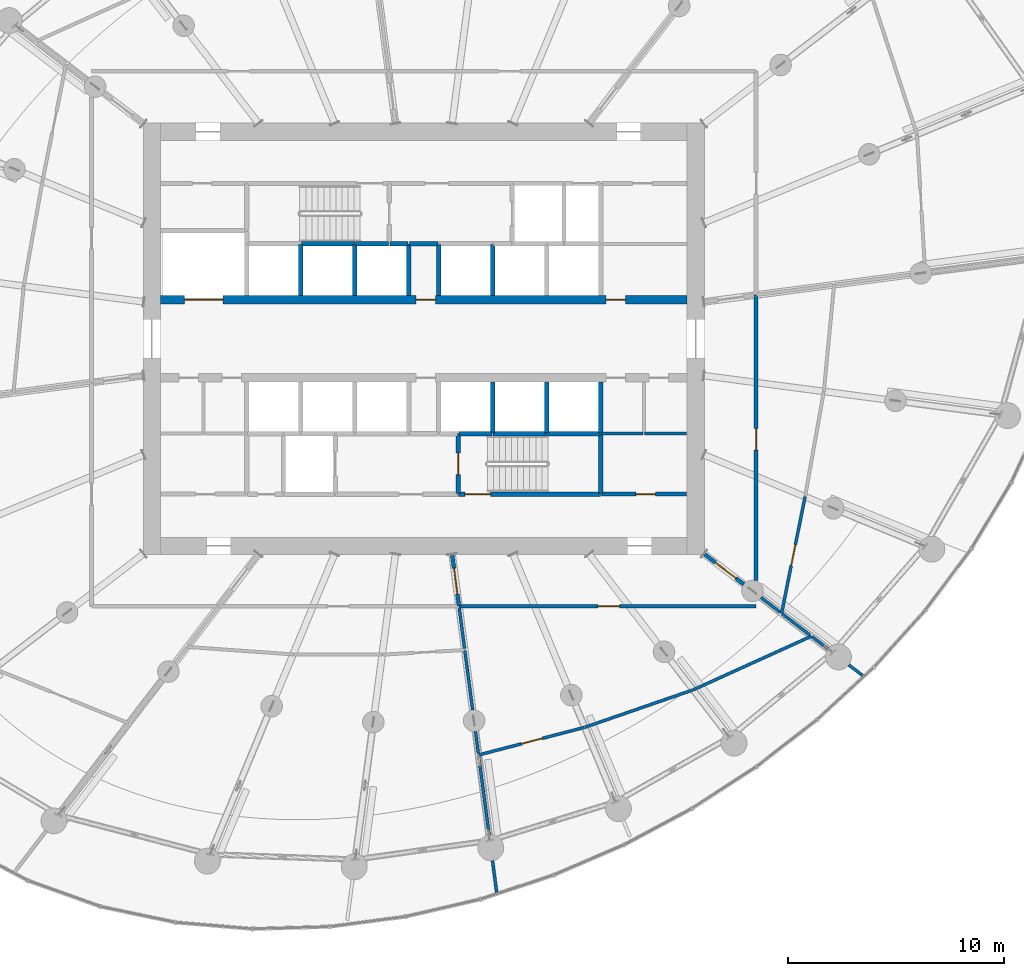
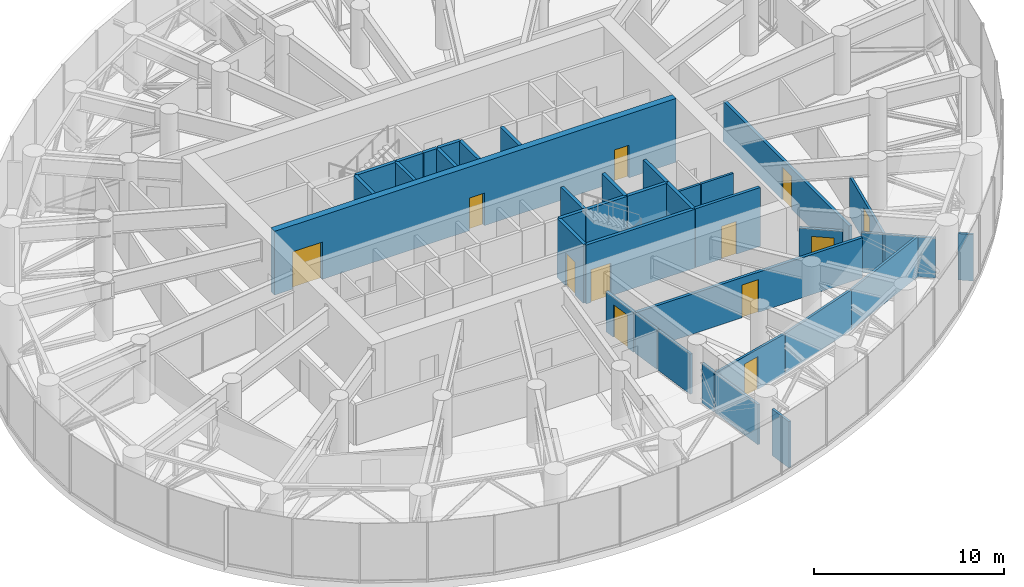
# One storey, part 17 of 33: 39 walls, 12 doors, 12 openings.
"""IFC4 building model written with IfcOpenShell, lengths in metres."""

from ifc_helpers import new_model, si_unit, direction, frame, frame_2d, origin, place, context, subcontext, project, spatial, rectangle, extrude, source, transform, mapped, material, layer, layer_set, type_object, element, fill, save


model = new_model("IFC4")

# Units and contexts
model_context = context("Model", 3, precision=1e-05, world=origin(), true_north=direction((0.0, 1.0)))
body_context = subcontext(model_context, "Body", "Model", "MODEL_VIEW")
ifc_project = project(units=[si_unit("LENGTHUNIT", "METRE"), si_unit("AREAUNIT", "SQUARE_METRE"), si_unit("VOLUMEUNIT", "CUBIC_METRE"), si_unit("PLANEANGLEUNIT", "RADIAN"), si_unit("MASSUNIT", "GRAM", prefix="KILO")], contexts=[model_context])

# Site, building, storey
site_placement = place(None, origin())
site = spatial("IfcSite", under=ifc_project, at=site_placement, CompositionType="ELEMENT")
building_placement = place(site_placement, origin())
building = spatial("IfcBuilding", under=site, at=building_placement, Name="Spindrift Exchange Tower", CompositionType="ELEMENT")
storey_placement = place(building_placement, frame((0.0, 0.0, 129.0)))
storey = spatial("IfcBuildingStorey", under=building, at=storey_placement, Name="L30", CompositionType="ELEMENT", Elevation=129.0)

# Wall, openings, doors
ifc_material_1 = material(Name="Concrete 65 MPa", Category="concrete")
ifc_layer_1 = layer(ifc_material_1, 0.39990234375)
ifc_layer_set_1 = layer_set([ifc_layer_1], Name="RC Spine Wall 400 Concrete 65 MPa")
wall_type_1 = type_object("IfcWallType", Name="RC Spine Wall 400 Concrete 65 MPa", PredefinedType="SHEAR", material=ifc_layer_set_1)
wall_1_placement = place(storey_placement, frame((39.800048828125, 49.800048828125, 0.0), z_axis=(0.0, 0.0, 1.0), x_axis=(1.0, 0.0, 0.0)))
wall_1 = element("IfcWall", 1, at=wall_1_placement, inside=storey, type_object=wall_type_1, Name="Core spine wall N L30", PredefinedType="SHEAR", context=body_context, shape_type="SweptSolid", body=[
    extrude(rectangle(XDim=24.39990234375, YDim=0.39990234375, at=frame_2d((12.199951171875, 0.0))), origin(), (0.0, 0.0, 1.0), 4.10009765625),
])
opening_1_placement = place(wall_1_placement, frame((1.10009765625, 0.0, 0.0)))
opening_1 = element("IfcOpeningElement", 2, at=opening_1_placement, cuts=wall_1, Name="Opening L30-D6", PredefinedType="OPENING", context=body_context, shape_type="SweptSolid", body=[
    extrude(rectangle(XDim=1.800048828125, YDim=2.39990234375, at=frame_2d((0.89990234375, 1.199951171875))), frame((0.0, 0.2099609375, 0.0), z_axis=(0.0, -1.0, 0.0), x_axis=(1.0, 0.0, 0.0)), (0.0, 0.0, 1.0), 0.419921875),
])
opening_2_placement = place(wall_1_placement, frame((20.64990234375, 0.0, 0.0)))
opening_2 = element("IfcOpeningElement", 3, at=opening_2_placement, cuts=wall_1, Name="Opening L30-D45", PredefinedType="OPENING", context=body_context, shape_type="SweptSolid", body=[
    extrude(rectangle(XDim=0.89990234375, YDim=2.10009765625, at=frame_2d((0.449951171875, 1.050048828125))), frame((0.0, 0.2099609375, 0.0), z_axis=(0.0, -1.0, 0.0), x_axis=(1.0, 0.0, 0.0)), (0.0, 0.0, 1.0), 0.419921875),
])
opening_3_placement = place(wall_1_placement, frame((11.85009765625, 0.0, 0.0)))
opening_3 = element("IfcOpeningElement", 4, at=opening_3_placement, cuts=wall_1, Name="Opening L30-D50", PredefinedType="OPENING", context=body_context, shape_type="SweptSolid", body=[
    extrude(rectangle(XDim=0.89990234375, YDim=2.10009765625, at=frame_2d((0.449951171875, 1.050048828125))), frame((0.0, 0.2099609375, 0.0), z_axis=(0.0, -1.0, 0.0), x_axis=(1.0, 0.0, 0.0)), (0.0, 0.0, 1.0), 0.419921875),
])
ifc_material_2 = material(Name="Stainless steel landing door", Category="steel")
door_type_1 = type_object("IfcDoorType", Name="DR-LANDING-1800-SL", OperationType="DOUBLE_DOOR_SLIDING", PredefinedType="USERDEFINED", material=ifc_material_2)
shared_shape_1 = source(origin(), body_context, "Body", "SweptSolid", [
    extrude(rectangle(XDim=1.800048828125, YDim=2.39990234375, at=frame_2d((0.89990234375, 1.199951171875))), frame((0.0, 0.02490234375, 0.0), z_axis=(0.0, -1.0, 0.0), x_axis=(1.0, 0.0, 0.0)), (0.0, 0.0, 1.0), 0.050048828125),
])
door_1_placement = place(opening_1_placement, origin())
door_1 = element("IfcDoor", 5, at=door_1_placement, inside=storey, type_object=door_type_1, Name="L30 Lift landing door 6", ObjectType="LANDING DOOR", OperationType="DOUBLE_DOOR_SLIDING", OverallHeight=2.39990234375, OverallWidth=1.800048828125, PredefinedType="USERDEFINED", context=body_context, shape_type="MappedRepresentation", body=[
    mapped(shared_shape_1, transform((0.0, 0.0, 0.0), scale=1.0)),
])
fill(opening_1, door_1)
ifc_material_3 = material(Name="Steel access door", Category="steel")
door_type_2 = type_object("IfcDoorType", Name="DR-RISER-900", OperationType="NOTDEFINED", PredefinedType="DOOR", material=ifc_material_3)
shared_shape_2 = source(origin(), body_context, "Body", "SweptSolid", [
    extrude(rectangle(XDim=0.89990234375, YDim=2.10009765625, at=frame_2d((0.449951171875, 1.050048828125))), frame((0.0, 0.02490234375, 0.0), z_axis=(0.0, -1.0, 0.0), x_axis=(1.0, 0.0, 0.0)), (0.0, 0.0, 1.0), 0.050048828125),
])
door_2_placement = place(opening_2_placement, origin())
door_2 = element("IfcDoor", 6, at=door_2_placement, inside=storey, type_object=door_type_2, Name="L30 Riser door 45", OperationType="SINGLE_SWING_RIGHT", OverallHeight=2.10009765625, OverallWidth=0.89990234375, PredefinedType="DOOR", context=body_context, shape_type="MappedRepresentation", body=[
    mapped(shared_shape_2, transform((0.0, 0.0, 0.0), scale=1.0)),
])
fill(opening_2, door_2)
door_3_placement = place(opening_3_placement, origin())
door_3 = element("IfcDoor", 7, at=door_3_placement, inside=storey, type_object=door_type_2, Name="L30 Riser door 50", OperationType="SINGLE_SWING_LEFT", OverallHeight=2.10009765625, OverallWidth=0.89990234375, PredefinedType="DOOR", context=body_context, shape_type="MappedRepresentation", body=[
    mapped(shared_shape_2, transform((0.0, 0.0, 0.0), scale=1.0)),
])
fill(opening_3, door_3)

# Wall, opening, door
ifc_material_4 = material(Name="Fire-rated plasterboard partition", Category="gypsum")
ifc_layer_2 = layer(ifc_material_4, 0.179931640625)
ifc_layer_set_2 = layer_set([ifc_layer_2], Name="W-CORR-180")
wall_type_2 = type_object("IfcWallType", Name="W-CORR-180", PredefinedType="PARTITIONING", material=ifc_layer_set_2)
wall_2_placement = place(storey_placement, frame((60.22998046875, 40.800048828125, 0.0), z_axis=(0.0, 0.0, 1.0), x_axis=(1.0, 0.0, 0.0)))
wall_2 = element("IfcWall", 8, at=wall_2_placement, inside=storey, type_object=wall_type_2, Name="L30 Partition wall 67", PredefinedType="PARTITIONING", context=body_context, shape_type="SweptSolid", body=[
    extrude(rectangle(XDim=3.949951171875, YDim=0.179931640625, at=frame_2d((1.97509765625, 0.0))), origin(), (0.0, 0.0, 1.0), 3.780029296875),
])
opening_4_placement = place(wall_2_placement, frame((1.60009765625, 0.0, 0.0)))
opening_4 = element("IfcOpeningElement", 9, at=opening_4_placement, cuts=wall_2, Name="Opening L30-D47", PredefinedType="OPENING", context=body_context, shape_type="SweptSolid", body=[
    extrude(rectangle(XDim=0.89990234375, YDim=2.10009765625, at=frame_2d((0.449951171875, 1.050048828125))), frame((0.0, 0.099853515625, 0.0), z_axis=(0.0, -1.0, 0.0), x_axis=(1.0, 0.0, 0.0)), (0.0, 0.0, 1.0), 0.199951171875),
])
door_4_placement = place(opening_4_placement, origin())
door_4 = element("IfcDoor", 10, at=door_4_placement, inside=storey, type_object=door_type_2, Name="L30 Riser door 47", OperationType="SINGLE_SWING_RIGHT", OverallHeight=2.10009765625, OverallWidth=0.89990234375, PredefinedType="DOOR", context=body_context, shape_type="MappedRepresentation", body=[
    mapped(shared_shape_2, transform((0.0, 0.0, 0.0), scale=1.0)),
])
fill(opening_4, door_4)

ifc_layer_3 = layer(ifc_material_4, 0.179931640625)
ifc_layer_set_3 = layer_set([ifc_layer_3], Name="W-CORR-180-SOFFIT")
wall_type_3 = type_object("IfcWallType", Name="W-CORR-180-SOFFIT", PredefinedType="PARTITIONING", material=ifc_layer_set_3)
wall_3_placement = place(storey_placement, frame((53.628662109375, 35.629638671875, 0.0), z_axis=(0.0, 0.0, 1.0), x_axis=(-0.13060507681, 0.991434472828, 0.0)))
wall_3 = element("IfcWall", 11, at=wall_3_placement, inside=storey, type_object=wall_type_3, Name="L30 Partition wall 76", PredefinedType="PARTITIONING", context=body_context, shape_type="SweptSolid", body=[
    extrude(rectangle(XDim=2.390869140625, YDim=0.179931640625, at=frame_2d((1.1953125, 0.0))), origin(), (0.0, 0.0, 1.0), 2.580078125),
])
opening_5_placement = place(wall_3_placement, frame((0.540771484375, 0.0, 0.0)))
opening_5 = element("IfcOpeningElement", 12, at=opening_5_placement, cuts=wall_3, Name="Opening L30-D38", PredefinedType="OPENING", context=body_context, shape_type="SweptSolid", body=[
    extrude(rectangle(XDim=1.199951171875, YDim=2.10009765625, at=frame_2d((0.60009765625, 1.050048828125))), frame((0.0, 0.099853515625, 0.0), z_axis=(0.0, -1.0, 0.0), x_axis=(1.0, 0.0, 0.0)), (0.0, 0.0, 1.0), 0.199951171875),
])
ifc_material_5 = material(Name="Steel fire door", Category="steel")
door_type_3 = type_object("IfcDoorType", Name="DR-PLANT-1200", OperationType="NOTDEFINED", PredefinedType="DOOR", material=ifc_material_5)
shared_shape_3 = source(origin(), body_context, "Body", "SweptSolid", [
    extrude(rectangle(XDim=1.199951171875, YDim=2.10009765625, at=frame_2d((0.60009765625, 1.050048828125))), frame((0.0, 0.02490234375, 0.0), z_axis=(0.0, -1.0, 0.0), x_axis=(1.0, 0.0, 0.0)), (0.0, 0.0, 1.0), 0.050048828125),
])
door_5_placement = place(opening_5_placement, origin())
door_5 = element("IfcDoor", 13, at=door_5_placement, inside=storey, type_object=door_type_3, Name="L30 Plant room door 38", OperationType="SINGLE_SWING_LEFT", OverallHeight=2.10009765625, OverallWidth=1.199951171875, PredefinedType="DOOR", context=body_context, shape_type="MappedRepresentation", body=[
    mapped(shared_shape_3, transform((0.0, 0.0, 0.0), scale=1.0)),
])
fill(opening_5, door_5)

wall_4_placement = place(storey_placement, frame((66.832275390625, 36.618896484375, 0.0), z_axis=(0.0, 0.0, 1.0), x_axis=(-0.793393624489, 0.608708926023, 0.0)))
wall_4 = element("IfcWall", 14, at=wall_4_placement, inside=storey, type_object=wall_type_3, Name="L30 Partition wall 78", PredefinedType="PARTITIONING", context=body_context, shape_type="SweptSolid", body=[
    extrude(rectangle(XDim=2.309326171875, YDim=0.179931640625, at=frame_2d((1.15478515625, 0.0))), origin(), (0.0, 0.0, 1.0), 2.580078125),
])
opening_6_placement = place(wall_4_placement, frame((0.45947265625, 0.0, 0.0)))
opening_6 = element("IfcOpeningElement", 15, at=opening_6_placement, cuts=wall_4, Name="Opening L30-D39", PredefinedType="OPENING", context=body_context, shape_type="SweptSolid", body=[
    extrude(rectangle(XDim=1.199951171875, YDim=2.10009765625, at=frame_2d((0.60009765625, 1.050048828125))), frame((0.0, 0.099853515625, 0.0), z_axis=(0.0, -1.0, 0.0), x_axis=(1.0, 0.0, 0.0)), (0.0, 0.0, 1.0), 0.199951171875),
])
door_6_placement = place(opening_6_placement, origin())
door_6 = element("IfcDoor", 16, at=door_6_placement, inside=storey, type_object=door_type_3, Name="L30 Plant room door 39", OperationType="SINGLE_SWING_RIGHT", OverallHeight=2.10009765625, OverallWidth=1.199951171875, PredefinedType="DOOR", context=body_context, shape_type="MappedRepresentation", body=[
    mapped(shared_shape_3, transform((0.0, 0.0, 0.0), scale=1.0)),
])
fill(opening_6, door_6)

# Walls
ifc_layer_4 = layer(ifc_material_4, 0.139892578125)
ifc_layer_set_4 = layer_set([ifc_layer_4], Name="W-PART-140")
wall_type_4 = type_object("IfcWallType", Name="W-PART-140", PredefinedType="PARTITIONING", material=ifc_layer_set_4)
wall_5_placement = place(storey_placement, frame((60.22998046875, 43.60009765625, 0.0), z_axis=(0.0, 0.0, 1.0), x_axis=(1.0, 0.0, 0.0)))
element("IfcWall", 17, at=wall_5_placement, inside=storey, type_object=wall_type_4, Name="L30 Partition wall 123", PredefinedType="PARTITIONING", context=body_context, shape_type="SweptSolid", body=[
    extrude(rectangle(XDim=1.93994140625, YDim=0.139892578125, at=frame_2d((0.969970703125, 0.0))), origin(), (0.0, 0.0, 1.0), 2.97998046875),
])
wall_6_placement = place(storey_placement, frame((62.22998046875, 43.60009765625, 0.0), z_axis=(0.0, 0.0, 1.0), x_axis=(1.0, 0.0, 0.0)))
element("IfcWall", 18, at=wall_6_placement, inside=storey, type_object=wall_type_4, Name="L30 Partition wall 124", PredefinedType="PARTITIONING", context=body_context, shape_type="SweptSolid", body=[
    extrude(rectangle(XDim=1.949951171875, YDim=0.139892578125, at=frame_2d((0.97509765625, 0.0))), origin(), (0.0, 0.0, 1.0), 2.97998046875),
])
ifc_layer_5 = layer(ifc_material_4, 0.139892578125)
ifc_layer_set_5 = layer_set([ifc_layer_5], Name="W-PLANT-140")
wall_type_5 = type_object("IfcWallType", Name="W-PLANT-140", PredefinedType="PARTITIONING", material=ifc_layer_set_5)
wall_7_placement = place(storey_placement, frame((55.185302734375, 23.805419921875, 0.0), z_axis=(0.0, 0.0, 1.0), x_axis=(0.13042446584, -0.991458248597, 0.0)))
element("IfcWall", 19, at=wall_7_placement, inside=storey, type_object=wall_type_5, Name="L30 Partition wall 129", PredefinedType="PARTITIONING", context=body_context, shape_type="SweptSolid", body=[
    extrude(rectangle(XDim=1.47119140625, YDim=0.139892578125, at=frame_2d((0.735595703125, 0.0))), origin(), (0.0, 0.0, 1.0), 2.97998046875),
])
wall_8_placement = place(storey_placement, frame((71.69921875, 32.88427734375, 0.0), z_axis=(0.0, 0.0, 1.0), x_axis=(0.793326455239, -0.608796464689, 0.0)))
element("IfcWall", 20, at=wall_8_placement, inside=storey, type_object=wall_type_5, Name="L30 Partition wall 140", PredefinedType="PARTITIONING", context=body_context, shape_type="SweptSolid", body=[
    extrude(rectangle(XDim=0.800537109375, YDim=0.139892578125, at=frame_2d((0.400390625, 0.0))), origin(), (0.0, 0.0, 1.0), 2.97998046875),
])
ifc_layer_6 = layer(ifc_material_4, 0.139892578125)
ifc_layer_set_6 = layer_set([ifc_layer_6], Name="W-PLANT-140-SOFFIT")
wall_type_6 = type_object("IfcWallType", Name="W-PLANT-140-SOFFIT", PredefinedType="PARTITIONING", material=ifc_layer_set_6)
wall_9_placement = place(storey_placement, frame((64.486083984375, 31.727783203125, 0.0), z_axis=(0.0, 0.0, 1.0), x_axis=(0.910630285698, 0.413222074397, 0.0)))
element("IfcWall", 21, at=wall_9_placement, inside=storey, type_object=wall_type_6, Name="L30 Partition wall 84", PredefinedType="PARTITIONING", context=body_context, shape_type="SweptSolid", body=[
    extrude(rectangle(XDim=6.017578125, YDim=0.139892578125, at=frame_2d((3.0087890625, 0.0))), origin(), (0.0, 0.0, 1.0), 2.580078125),
])

# Wall, opening, door
wall_10_placement = place(storey_placement, frame((69.671875, 40.68017578125, 0.0), z_axis=(0.0, 0.0, 1.0), x_axis=(-0.197248441668, -0.980353534323, 0.0)))
wall_10 = element("IfcWall", 22, at=wall_10_placement, inside=storey, type_object=wall_type_6, Name="L30 Partition wall 87", PredefinedType="PARTITIONING", context=body_context, shape_type="SweptSolid", body=[
    extrude(rectangle(XDim=5.51416015625, YDim=0.139892578125, at=frame_2d((2.757080078125, 0.0))), origin(), (0.0, 0.0, 1.0), 2.580078125),
])
opening_7_placement = place(wall_10_placement, frame((2.263916015625, 0.0, 0.0)))
opening_7 = element("IfcOpeningElement", 23, at=opening_7_placement, cuts=wall_10, Name="Opening L30-D32", PredefinedType="OPENING", context=body_context, shape_type="SweptSolid", body=[
    extrude(rectangle(XDim=1.0, YDim=2.10009765625, at=frame_2d((0.5, 1.050048828125))), frame((0.0, 0.079833984375, 0.0), z_axis=(0.0, -1.0, 0.0), x_axis=(1.0, 0.0, 0.0)), (0.0, 0.0, 1.0), 0.159912109375),
])
ifc_material_6 = material(Name="Timber-core fire door", Category="wood")
door_type_4 = type_object("IfcDoorType", Name="DR-ROOM-1000", OperationType="NOTDEFINED", PredefinedType="DOOR", material=ifc_material_6)
shared_shape_4 = source(origin(), body_context, "Body", "SweptSolid", [
    extrude(rectangle(XDim=1.0, YDim=2.10009765625, at=frame_2d((0.5, 1.050048828125))), frame((0.0, 0.02490234375, 0.0), z_axis=(0.0, -1.0, 0.0), x_axis=(1.0, 0.0, 0.0)), (0.0, 0.0, 1.0), 0.050048828125),
])
door_7_placement = place(opening_7_placement, origin())
door_7 = element("IfcDoor", 24, at=door_7_placement, inside=storey, type_object=door_type_4, Name="L30 Door 32", OperationType="SINGLE_SWING_LEFT", OverallHeight=2.10009765625, OverallWidth=1.0, PredefinedType="DOOR", context=body_context, shape_type="MappedRepresentation", body=[
    mapped(shared_shape_4, transform((0.0, 0.0, 0.0), scale=1.0)),
])
fill(opening_7, door_7)

# Wall
wall_11_placement = place(storey_placement, frame((59.4599609375, 29.990234375, 0.0), z_axis=(0.0, 0.0, 1.0), x_axis=(0.945116087861, 0.326734724918, 0.0)))
element("IfcWall", 25, at=wall_11_placement, inside=storey, type_object=wall_type_6, Name="L30 Partition wall 90", PredefinedType="PARTITIONING", context=body_context, shape_type="SweptSolid", body=[
    extrude(rectangle(XDim=5.2880859375, YDim=0.139892578125, at=frame_2d((2.64404296875, 0.0))), origin(), (0.0, 0.0, 1.0), 2.580078125),
])

# Wall, opening, door
wall_12_placement = place(storey_placement, frame((59.430908203125, 29.982666015625, 0.0), z_axis=(0.0, 0.0, 1.0), x_axis=(-0.967691095233, -0.252138739998, 0.0)))
wall_12 = element("IfcWall", 26, at=wall_12_placement, inside=storey, type_object=wall_type_6, Name="L30 Partition wall 92", PredefinedType="PARTITIONING", context=body_context, shape_type="SweptSolid", body=[
    extrude(rectangle(XDim=5.054443359375, YDim=0.139892578125, at=frame_2d((2.52734375, 0.0))), origin(), (0.0, 0.0, 1.0), 2.580078125),
])
opening_8_placement = place(wall_12_placement, frame((2.00439453125, 0.0, 0.0)))
opening_8 = element("IfcOpeningElement", 27, at=opening_8_placement, cuts=wall_12, Name="Opening L30-D30", PredefinedType="OPENING", context=body_context, shape_type="SweptSolid", body=[
    extrude(rectangle(XDim=1.0, YDim=2.10009765625, at=frame_2d((0.5, 1.050048828125))), frame((0.0, 0.079833984375, 0.0), z_axis=(0.0, -1.0, 0.0), x_axis=(1.0, 0.0, 0.0)), (0.0, 0.0, 1.0), 0.159912109375),
])
door_8_placement = place(opening_8_placement, origin())
door_8 = element("IfcDoor", 28, at=door_8_placement, inside=storey, type_object=door_type_4, Name="L30 Door 30", OperationType="SINGLE_SWING_LEFT", OverallHeight=2.10009765625, OverallWidth=1.0, PredefinedType="DOOR", context=body_context, shape_type="MappedRepresentation", body=[
    mapped(shared_shape_4, transform((0.0, 0.0, 0.0), scale=1.0)),
])
fill(opening_8, door_8)

# Walls
wall_13_placement = place(storey_placement, frame((54.543701171875, 28.678466796875, 0.0), z_axis=(0.0, 0.0, 1.0), x_axis=(0.130558454313, -0.991440613455, 0.0)))
element("IfcWall", 29, at=wall_13_placement, inside=storey, type_object=wall_type_6, Name="L30 Partition wall 107", PredefinedType="PARTITIONING", context=body_context, shape_type="SweptSolid", body=[
    extrude(rectangle(XDim=3.706298828125, YDim=0.139892578125, at=frame_2d((1.85302734375, 0.0))), origin(), (0.0, 0.0, 1.0), 2.580078125),
])
wall_14_placement = place(storey_placement, frame((53.903076171875, 33.544921875, 0.0), z_axis=(0.0, 0.0, 1.0), x_axis=(0.130536537493, -0.991443499338, 0.0)))
element("IfcWall", 30, at=wall_14_placement, inside=storey, type_object=wall_type_6, Name="L30 Partition wall 114", PredefinedType="PARTITIONING", context=body_context, shape_type="SweptSolid", body=[
    extrude(rectangle(XDim=2.771728515625, YDim=0.139892578125, at=frame_2d((1.3857421875, 0.0))), origin(), (0.0, 0.0, 1.0), 2.580078125),
])
wall_15_placement = place(storey_placement, frame((53.644287109375, 35.510009765625, 0.0), z_axis=(0.0, 0.0, 1.0), x_axis=(0.130498135038, -0.991448554768, 0.0)))
element("IfcWall", 31, at=wall_15_placement, inside=storey, type_object=wall_type_6, Name="L30 Partition wall 121", PredefinedType="PARTITIONING", context=body_context, shape_type="SweptSolid", body=[
    extrude(rectangle(XDim=1.882080078125, YDim=0.139892578125, at=frame_2d((0.94091796875, 0.0))), origin(), (0.0, 0.0, 1.0), 2.580078125),
])
wall_16_placement = place(storey_placement, frame((68.60791015625, 35.256103515625, 0.0), z_axis=(0.0, 0.0, 1.0), x_axis=(0.793418526324, -0.608676467498, 0.0)))
element("IfcWall", 32, at=wall_16_placement, inside=storey, type_object=wall_type_6, Name="L30 Partition wall 127", PredefinedType="PARTITIONING", context=body_context, shape_type="SweptSolid", body=[
    extrude(rectangle(XDim=1.632080078125, YDim=0.139892578125, at=frame_2d((0.81591796875, 0.0))), origin(), (0.0, 0.0, 1.0), 2.580078125),
])
wall_17_placement = place(storey_placement, frame((67.632568359375, 36.004638671875, 0.0), z_axis=(0.0, 0.0, 1.0), x_axis=(0.793448671778, -0.60863717045, 0.0)))
element("IfcWall", 33, at=wall_17_placement, inside=storey, type_object=wall_type_6, Name="L30 Partition wall 131", PredefinedType="PARTITIONING", context=body_context, shape_type="SweptSolid", body=[
    extrude(rectangle(XDim=1.12158203125, YDim=0.139892578125, at=frame_2d((0.560791015625, 0.0))), origin(), (0.0, 0.0, 1.0), 2.580078125),
])
wall_18_placement = place(storey_placement, frame((54.396484375, 29.796630859375, 0.0), z_axis=(0.0, 0.0, 1.0), x_axis=(0.130497554193, -0.991448631221, 0.0)))
element("IfcWall", 34, at=wall_18_placement, inside=storey, type_object=wall_type_6, Name="L30 Partition wall 133", PredefinedType="PARTITIONING", context=body_context, shape_type="SweptSolid", body=[
    extrude(rectangle(XDim=1.027099609375, YDim=0.139892578125, at=frame_2d((0.513671875, 0.0))), origin(), (0.0, 0.0, 1.0), 2.580078125),
])
wall_19_placement = place(storey_placement, frame((69.989501953125, 34.196044921875, 0.0), z_axis=(0.0, 0.0, 1.0), x_axis=(0.793419442559, -0.60867527317, 0.0)))
element("IfcWall", 35, at=wall_19_placement, inside=storey, type_object=wall_type_6, Name="L30 Partition wall 134", PredefinedType="PARTITIONING", context=body_context, shape_type="SweptSolid", body=[
    extrude(rectangle(XDim=0.9462890625, YDim=0.139892578125, at=frame_2d((0.47314453125, 0.0))), origin(), (0.0, 0.0, 1.0), 2.580078125),
])

# Wall, opening, door
ifc_layer_7 = layer(ifc_material_4, 0.179931640625)
ifc_layer_set_7 = layer_set([ifc_layer_7], Name="W-PLANT-180-SOFFIT")
wall_type_7 = type_object("IfcWallType", Name="W-PLANT-180-SOFFIT", PredefinedType="PARTITIONING", material=ifc_layer_set_7)
wall_20_placement = place(storey_placement, frame((67.39990234375, 35.60009765625, 0.0), z_axis=(0.0, 0.0, 1.0), x_axis=(-1.0, 0.0, 0.0)))
wall_20 = element("IfcWall", 36, at=wall_20_placement, inside=storey, type_object=wall_type_7, Name="L30 Partition wall 57", PredefinedType="PARTITIONING", context=body_context, shape_type="SweptSolid", body=[
    extrude(rectangle(XDim=13.767333984375, YDim=0.179931640625, at=frame_2d((6.8837890625, 0.0))), origin(), (0.0, 0.0, 1.0), 2.580078125),
])
opening_9_placement = place(wall_20_placement, frame((6.3173828125, 0.0, 0.0)))
opening_9 = element("IfcOpeningElement", 37, at=opening_9_placement, cuts=wall_20, Name="Opening L30-D29", PredefinedType="OPENING", context=body_context, shape_type="SweptSolid", body=[
    extrude(rectangle(XDim=1.0, YDim=2.10009765625, at=frame_2d((0.5, 1.050048828125))), frame((0.0, 0.099853515625, 0.0), z_axis=(0.0, -1.0, 0.0), x_axis=(1.0, 0.0, 0.0)), (0.0, 0.0, 1.0), 0.199951171875),
])
door_9_placement = place(opening_9_placement, origin())
door_9 = element("IfcDoor", 38, at=door_9_placement, inside=storey, type_object=door_type_4, Name="L30 Door 29", OperationType="SINGLE_SWING_RIGHT", OverallHeight=2.10009765625, OverallWidth=1.0, PredefinedType="DOOR", context=body_context, shape_type="MappedRepresentation", body=[
    mapped(shared_shape_4, transform((0.0, 0.0, 0.0), scale=1.0)),
])
fill(opening_9, door_9)

wall_21_placement = place(storey_placement, frame((67.39990234375, 50.02734375, 0.0), z_axis=(0.0, 0.0, 1.0), x_axis=(0.0, -1.0, 0.0)))
wall_21 = element("IfcWall", 39, at=wall_21_placement, inside=storey, type_object=wall_type_7, Name="L30 Partition wall 59", PredefinedType="PARTITIONING", context=body_context, shape_type="SweptSolid", body=[
    extrude(rectangle(XDim=13.23974609375, YDim=0.179931640625, at=frame_2d((6.619873046875, 0.0))), origin(), (0.0, 0.0, 1.0), 2.580078125),
])
opening_10_placement = place(wall_21_placement, frame((6.18994140625, 0.0, 0.0)))
opening_10 = element("IfcOpeningElement", 40, at=opening_10_placement, cuts=wall_21, Name="Opening L30-D31", PredefinedType="OPENING", context=body_context, shape_type="SweptSolid", body=[
    extrude(rectangle(XDim=1.0, YDim=2.10009765625, at=frame_2d((0.5, 1.050048828125))), frame((0.0, 0.099853515625, 0.0), z_axis=(0.0, -1.0, 0.0), x_axis=(1.0, 0.0, 0.0)), (0.0, 0.0, 1.0), 0.199951171875),
])
door_10_placement = place(opening_10_placement, origin())
door_10 = element("IfcDoor", 41, at=door_10_placement, inside=storey, type_object=door_type_4, Name="L30 Door 31", OperationType="SINGLE_SWING_RIGHT", OverallHeight=2.10009765625, OverallWidth=1.0, PredefinedType="DOOR", context=body_context, shape_type="MappedRepresentation", body=[
    mapped(shared_shape_4, transform((0.0, 0.0, 0.0), scale=1.0)),
])
fill(opening_10, door_10)

# Walls
ifc_material_7 = material(Name="Concrete 40 MPa", Category="concrete")
ifc_layer_8 = layer(ifc_material_7, 0.199951171875)
ifc_layer_set_8 = layer_set([ifc_layer_8], Name="W-SHAFT-200")
wall_type_8 = type_object("IfcWallType", Name="W-SHAFT-200", PredefinedType="SOLIDWALL", material=ifc_layer_set_8)
wall_22_placement = place(storey_placement, frame((51.300048828125, 50.010009765625, 0.0), z_axis=(0.0, 0.0, 1.0), x_axis=(0.0, 1.0, 0.0)))
element("IfcWall", 42, at=wall_22_placement, inside=storey, type_object=wall_type_8, Name="L30 Shaft wall 30", PredefinedType="SOLIDWALL", context=body_context, shape_type="SweptSolid", body=[
    extrude(rectangle(XDim=2.389892578125, YDim=0.199951171875, at=frame_2d((1.19482421875, 0.0))), origin(), (0.0, 0.0, 1.0), 3.780029296875),
])
for number, where, z_axis, x_axis, name in (
    (43, (52.699951171875, 52.3701171875, 0.0), (0.0, 0.0, 1.0), (0.0, -1.0, 0.0), "L30 Shaft wall 32"),
    (44, (55.199951171875, 50.010009765625, 0.0), (0.0, 0.0, 1.0), (0.0, 1.0, 0.0), "L30 Shaft wall 34"),
):
    element("IfcWall", number, at=place(storey_placement, frame(where, z_axis=z_axis, x_axis=x_axis)), inside=storey, type_object=wall_type_8, Name=name, PredefinedType="SOLIDWALL", context=body_context, shape_type="SweptSolid", body=[
        extrude(rectangle(XDim=2.360107421875, YDim=0.199951171875, at=frame_2d((1.18017578125, 0.0))), origin(), (0.0, 0.0, 1.0), 3.780029296875),
    ])
wall_23_placement = place(storey_placement, frame((51.330078125, 52.39990234375, 0.0), z_axis=(0.0, 0.0, 1.0), x_axis=(1.0, 0.0, 0.0)))
element("IfcWall", 45, at=wall_23_placement, inside=storey, type_object=wall_type_8, Name="L30 Shaft wall 49", PredefinedType="SOLIDWALL", context=body_context, shape_type="SweptSolid", body=[
    extrude(rectangle(XDim=1.33984375, YDim=0.199951171875, at=frame_2d((0.669921875, 0.0))), origin(), (0.0, 0.0, 1.0), 3.780029296875),
])

# Wall, opening, door
ifc_layer_9 = layer(ifc_material_7, 0.199951171875)
ifc_layer_set_9 = layer_set([ifc_layer_9], Name="W-SHAFT-200-LB")
wall_type_9 = type_object("IfcWallType", Name="W-SHAFT-200-LB", PredefinedType="SOLIDWALL", material=ifc_layer_set_9)
wall_24_placement = place(storey_placement, frame((53.60009765625, 40.800048828125, 0.0), z_axis=(0.0, 0.0, 1.0), x_axis=(1.0, 0.0, 0.0)))
wall_24 = element("IfcWall", 46, at=wall_24_placement, inside=storey, type_object=wall_type_9, Name="L30 Shaft wall 2", PredefinedType="SOLIDWALL", context=body_context, shape_type="SweptSolid", body=[
    extrude(rectangle(XDim=6.599853515625, YDim=0.199951171875, at=frame_2d((3.2998046875, 0.0))), origin(), (0.0, 0.0, 1.0), 3.780029296875),
])
opening_11_placement = place(wall_24_placement, frame((0.300048828125, 0.0, 0.0)))
opening_11 = element("IfcOpeningElement", 47, at=opening_11_placement, cuts=wall_24, Name="Opening L30-D10", PredefinedType="OPENING", context=body_context, shape_type="SweptSolid", body=[
    extrude(rectangle(XDim=1.199951171875, YDim=2.10009765625, at=frame_2d((0.60009765625, 1.050048828125))), frame((0.0, 0.10986328125, 0.0), z_axis=(0.0, -1.0, 0.0), x_axis=(1.0, 0.0, 0.0)), (0.0, 0.0, 1.0), 0.219970703125),
])
door_type_5 = type_object("IfcDoorType", Name="DR-STAIR-1200", OperationType="NOTDEFINED", PredefinedType="DOOR", material=ifc_material_5)
shared_shape_5 = source(origin(), body_context, "Body", "SweptSolid", [
    extrude(rectangle(XDim=1.199951171875, YDim=2.10009765625, at=frame_2d((0.60009765625, 1.050048828125))), frame((0.0, 0.02490234375, 0.0), z_axis=(0.0, -1.0, 0.0), x_axis=(1.0, 0.0, 0.0)), (0.0, 0.0, 1.0), 0.050048828125),
])
door_11_placement = place(opening_11_placement, origin())
door_11 = element("IfcDoor", 48, at=door_11_placement, inside=storey, type_object=door_type_5, Name="L30 Stair door 10", OperationType="SINGLE_SWING_LEFT", OverallHeight=2.10009765625, OverallWidth=1.199951171875, PredefinedType="DOOR", context=body_context, shape_type="MappedRepresentation", body=[
    mapped(shared_shape_5, transform((0.0, 0.0, 0.0), scale=1.0)),
])
fill(opening_11, door_11)

# Wall
wall_25_placement = place(storey_placement, frame((60.199951171875, 40.830078125, 0.0), z_axis=(0.0, 0.0, 1.0), x_axis=(0.0, 1.0, 0.0)))
element("IfcWall", 49, at=wall_25_placement, inside=storey, type_object=wall_type_9, Name="L30 Shaft wall 10", PredefinedType="SOLIDWALL", context=body_context, shape_type="SweptSolid", body=[
    extrude(rectangle(XDim=2.77001953125, YDim=0.199951171875, at=frame_2d((1.385009765625, 0.0))), origin(), (0.0, 0.0, 1.0), 3.780029296875),
])

# Wall, opening, door
wall_26_placement = place(storey_placement, frame((53.60009765625, 43.60009765625, 0.0), z_axis=(0.0, 0.0, 1.0), x_axis=(0.0, -1.0, 0.0)))
wall_26 = element("IfcWall", 50, at=wall_26_placement, inside=storey, type_object=wall_type_9, Name="L30 Shaft wall 11", PredefinedType="SOLIDWALL", context=body_context, shape_type="SweptSolid", body=[
    extrude(rectangle(XDim=2.77001953125, YDim=0.199951171875, at=frame_2d((1.385009765625, 0.0))), origin(), (0.0, 0.0, 1.0), 3.780029296875),
])
opening_12_placement = place(wall_26_placement, frame((0.89990234375, 0.0, 0.0)))
opening_12 = element("IfcOpeningElement", 51, at=opening_12_placement, cuts=wall_26, Name="Opening L30-D11", PredefinedType="OPENING", context=body_context, shape_type="SweptSolid", body=[
    extrude(rectangle(XDim=1.0, YDim=2.10009765625, at=frame_2d((0.5, 1.050048828125))), frame((0.0, 0.10986328125, 0.0), z_axis=(0.0, -1.0, 0.0), x_axis=(1.0, 0.0, 0.0)), (0.0, 0.0, 1.0), 0.219970703125),
])
door_type_6 = type_object("IfcDoorType", Name="DR-STAIR-1000", OperationType="NOTDEFINED", PredefinedType="DOOR", material=ifc_material_5)
shared_shape_6 = source(origin(), body_context, "Body", "SweptSolid", [
    extrude(rectangle(XDim=1.0, YDim=2.10009765625, at=frame_2d((0.5, 1.050048828125))), frame((0.0, 0.02490234375, 0.0), z_axis=(0.0, -1.0, 0.0), x_axis=(1.0, 0.0, 0.0)), (0.0, 0.0, 1.0), 0.050048828125),
])
door_12_placement = place(opening_12_placement, origin())
door_12 = element("IfcDoor", 52, at=door_12_placement, inside=storey, type_object=door_type_6, Name="L30 Stair door 11", OperationType="SINGLE_SWING_RIGHT", OverallHeight=2.10009765625, OverallWidth=1.0, PredefinedType="DOOR", context=body_context, shape_type="MappedRepresentation", body=[
    mapped(shared_shape_6, transform((0.0, 0.0, 0.0), scale=1.0)),
])
fill(opening_12, door_12)

# Walls
wall_27_placement = place(storey_placement, frame((48.800048828125, 52.39990234375, 0.0), z_axis=(0.0, 0.0, 1.0), x_axis=(-1.0, 0.0, 0.0)))
element("IfcWall", 53, at=wall_27_placement, inside=storey, type_object=wall_type_9, Name="L30 Shaft wall 16", PredefinedType="SOLIDWALL", context=body_context, shape_type="SweptSolid", body=[
    extrude(rectangle(XDim=2.469970703125, YDim=0.199951171875, at=frame_2d((1.23486328125, 0.0))), origin(), (0.0, 0.0, 1.0), 3.780029296875),
])
wall_28_placement = place(storey_placement, frame((55.199951171875, 43.60009765625, 0.0), z_axis=(0.0, 0.0, 1.0), x_axis=(1.0, 0.0, 0.0)))
element("IfcWall", 54, at=wall_28_placement, inside=storey, type_object=wall_type_9, Name="L30 Shaft wall 19", PredefinedType="SOLIDWALL", context=body_context, shape_type="SweptSolid", body=[
    extrude(rectangle(XDim=2.5, YDim=0.199951171875, at=frame_2d((1.25, 0.0))), origin(), (0.0, 0.0, 1.0), 3.780029296875),
])
wall_29_placement = place(storey_placement, frame((57.72998046875, 43.60009765625, 0.0), z_axis=(0.0, 0.0, 1.0), x_axis=(1.0, 0.0, 0.0)))
element("IfcWall", 55, at=wall_29_placement, inside=storey, type_object=wall_type_9, Name="L30 Shaft wall 20", PredefinedType="SOLIDWALL", context=body_context, shape_type="SweptSolid", body=[
    extrude(rectangle(XDim=2.43994140625, YDim=0.199951171875, at=frame_2d((1.219970703125, 0.0))), origin(), (0.0, 0.0, 1.0), 3.780029296875),
])
for number, where, z_axis, x_axis, name in (
    (56, (46.300048828125, 50.010009765625, 0.0), (0.0, 0.0, 1.0), (0.0, 1.0, 0.0), "L30 Shaft wall 26"),
    (57, (48.800048828125, 50.010009765625, 0.0), (0.0, 0.0, 1.0), (0.0, 1.0, 0.0), "L30 Shaft wall 28"),
    (58, (55.199951171875, 43.6298828125, 0.0), (0.0, 0.0, 1.0), (0.0, 1.0, 0.0), "L30 Shaft wall 33"),
    (59, (57.699951171875, 43.6298828125, 0.0), (0.0, 0.0, 1.0), (0.0, 1.0, 0.0), "L30 Shaft wall 35"),
    (60, (60.199951171875, 43.6298828125, 0.0), (0.0, 0.0, 1.0), (0.0, 1.0, 0.0), "L30 Shaft wall 37"),
):
    element("IfcWall", number, at=place(storey_placement, frame(where, z_axis=z_axis, x_axis=x_axis)), inside=storey, type_object=wall_type_9, Name=name, PredefinedType="SOLIDWALL", context=body_context, shape_type="SweptSolid", body=[
        extrude(rectangle(XDim=2.360107421875, YDim=0.199951171875, at=frame_2d((1.18017578125, 0.0))), origin(), (0.0, 0.0, 1.0), 3.780029296875),
    ])
for number, where, z_axis, x_axis, name in (
    (61, (50.3701171875, 52.39990234375, 0.0), (0.0, 0.0, 1.0), (-1.0, 0.0, 0.0), "L30 Shaft wall 45"),
    (62, (53.6298828125, 43.60009765625, 0.0), (0.0, 0.0, 1.0), (1.0, 0.0, 0.0), "L30 Shaft wall 46"),
):
    element("IfcWall", number, at=place(storey_placement, frame(where, z_axis=z_axis, x_axis=x_axis)), inside=storey, type_object=wall_type_9, Name=name, PredefinedType="SOLIDWALL", context=body_context, shape_type="SweptSolid", body=[
        extrude(rectangle(XDim=1.5400390625, YDim=0.199951171875, at=frame_2d((0.77001953125, 0.0))), origin(), (0.0, 0.0, 1.0), 3.780029296875),
    ])
wall_30_placement = place(storey_placement, frame((51.27001953125, 52.39990234375, 0.0), z_axis=(0.0, 0.0, 1.0), x_axis=(-1.0, 0.0, 0.0)))
element("IfcWall", 63, at=wall_30_placement, inside=storey, type_object=wall_type_9, Name="L30 Shaft wall 51", PredefinedType="SOLIDWALL", context=body_context, shape_type="SweptSolid", body=[
    extrude(rectangle(XDim=0.840087890625, YDim=0.199951171875, at=frame_2d((0.419921875, 0.0))), origin(), (0.0, 0.0, 1.0), 3.780029296875),
])

save(model, "model.ifc")
